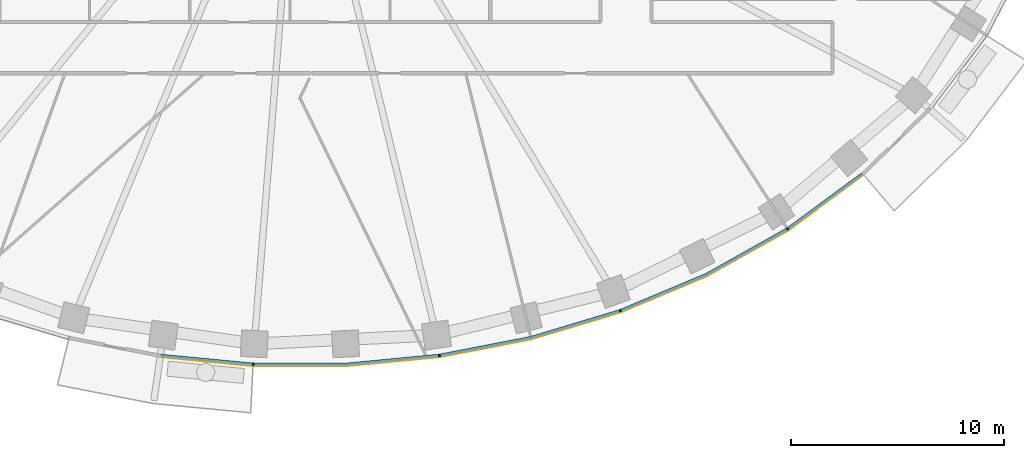
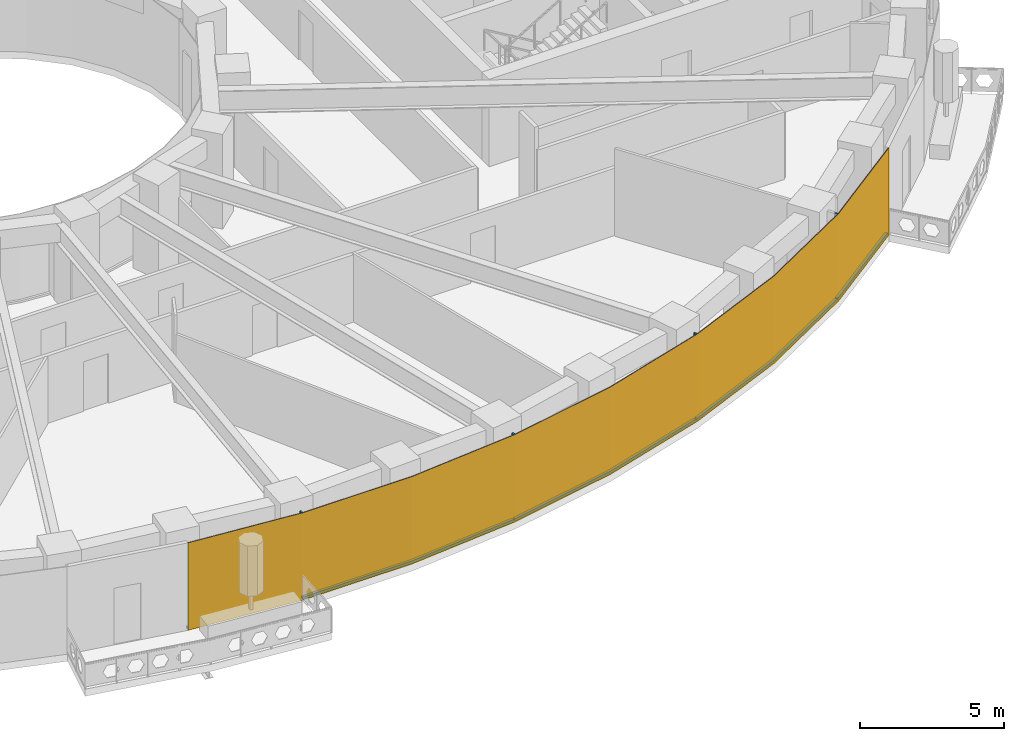
# One storey, part 9 of 16: 9 members, 1 curtain wall.
"""IFC4 building model written with IfcOpenShell, lengths in metres."""

from ifc_helpers import new_model, si_unit, direction, frame, origin, origin_2d, place, context, subcontext, project, spatial, polyline, rectangle, outline, extrude, material, layer, layer_set, material_profile, profile_set, type_object, element, aggregate, save


model = new_model("IFC4")

# Units and contexts
model_context = context("Model", 3, precision=1e-05, world=origin(), true_north=direction((0.0, 1.0)))
body_context = subcontext(model_context, "Body", "Model", "MODEL_VIEW")
ifc_project = project(units=[si_unit("LENGTHUNIT", "METRE"), si_unit("AREAUNIT", "SQUARE_METRE"), si_unit("VOLUMEUNIT", "CUBIC_METRE"), si_unit("PLANEANGLEUNIT", "RADIAN"), si_unit("MASSUNIT", "GRAM", prefix="KILO")], contexts=[model_context])

# Member
ifc_material_1 = material(Name="Aluminium 6063-T6 black anodised", Category="aluminium")
ifc_material_profile = material_profile(ifc_material_1, rectangle(XDim=0.1201171875, YDim=0.06005859375, at=origin_2d()), Name="120x60")
ifc_profile_set = profile_set([ifc_material_profile], Name="Aluminium 6063-T6 black anodised")
member_type_1 = type_object("IfcMemberType", Name="ENV-MULLION-A-120", PredefinedType="MULLION", material=ifc_profile_set)
site_placement = place(None, origin())
building_placement = place(site_placement, origin())
storey_placement = place(building_placement, frame((0.0, 0.0, 124.0)))
member_1_placement = place(storey_placement, frame((-2.188720703125, -27.856201171875, 0.0), z_axis=(0.0, 0.0, 1.0), x_axis=(0.047557873581, 0.998868484166, 0.0)))
member_1 = element("IfcMember", 1, at=member_1_placement, type_object=member_type_1, Name="Mullion A radial 35", PredefinedType="MULLION", context=body_context, shape_type="SweptSolid", body=[
    extrude(rectangle(XDim=0.1201171875, YDim=0.06005859375, at=origin_2d()), origin(), (0.0, 0.0, 1.0), 3.699951171875),
])

member_2_placement = place(storey_placement, frame((6.54638671875, -27.440185546875, 0.0), z_axis=(0.0, 0.0, 1.0), x_axis=(-0.143082012705, 0.989710835366, 0.0)))
member_2 = element("IfcMember", 2, at=member_2_placement, type_object=member_type_1, Name="Mullion A radial 37", PredefinedType="MULLION", context=body_context, shape_type="SweptSolid", body=[
    extrude(rectangle(XDim=0.1201171875, YDim=0.06005859375, at=origin_2d()), origin(), (0.0, 0.0, 1.0), 3.699951171875),
])

member_3_placement = place(storey_placement, frame((15.0341796875, -25.34375, 0.0), z_axis=(0.0, 0.0, 1.0), x_axis=(-0.338379256581, 0.941009818608, 0.0)))
member_3 = element("IfcMember", 3, at=member_3_placement, type_object=member_type_1, Name="Mullion A radial 39", PredefinedType="MULLION", context=body_context, shape_type="SweptSolid", body=[
    extrude(rectangle(XDim=0.1201171875, YDim=0.06005859375, at=origin_2d()), origin(), (0.0, 0.0, 1.0), 3.699951171875),
])

member_4_placement = place(storey_placement, frame((22.882568359375, -21.506591796875, 0.0), z_axis=(0.0, 0.0, 1.0), x_axis=(-0.542279153225, 0.840198381323, 0.0)))
member_4 = element("IfcMember", 4, at=member_4_placement, type_object=member_type_1, Name="Mullion A radial 41", PredefinedType="MULLION", context=body_context, shape_type="SweptSolid", body=[
    extrude(rectangle(XDim=0.1201171875, YDim=0.06005859375, at=origin_2d()), origin(), (0.0, 0.0, 1.0), 3.699951171875),
])

ifc_material_2 = material(Name="Aluminium 6063-T6 black anodised", Category="aluminium")
member_type_2 = type_object("IfcMemberType", Name="ENV-TRANSOM-A", PredefinedType="USERDEFINED", material=ifc_material_2)
member_5_placement = place(storey_placement, origin())
member_5 = element("IfcMember", 5, at=member_5_placement, type_object=member_type_2, Name="Transom A radial 34-35", ObjectType="TRANSOM", PredefinedType="USERDEFINED", context=body_context, shape_type="SweptSolid", body=[
    extrude(outline(polyline([(-6.53515625, -27.50146484375), (-2.219482421875, -27.913330078125), (-2.2138671875, -27.793212890625), (-6.51806640625, -27.382568359375), (-6.53515625, -27.50146484375)])), origin(), (0.0, 0.0, 1.0), 0.10009765625),
])

member_6_placement = place(storey_placement, origin())
member_6 = element("IfcMember", 6, at=member_6_placement, type_object=member_type_2, Name="Transom A radial 35-37", ObjectType="TRANSOM", PredefinedType="USERDEFINED", context=body_context, shape_type="SweptSolid", body=[
    extrude(outline(polyline([(-2.163818359375, -27.916015625), (2.191650390625, -27.916015625), (6.527099609375, -27.502197265625), (6.510009765625, -27.38330078125), (2.185791015625, -27.7958984375), (-2.157958984375, -27.7958984375), (-2.163818359375, -27.916015625)])), origin(), (0.0, 0.0, 1.0), 0.10009765625),
])

member_7_placement = place(storey_placement, origin())
member_7 = element("IfcMember", 7, at=member_7_placement, type_object=member_type_2, Name="Transom A radial 37-39", ObjectType="TRANSOM", PredefinedType="USERDEFINED", context=body_context, shape_type="SweptSolid", body=[
    extrude(outline(polyline([(6.58251953125, -27.494140625), (10.857666015625, -26.6630859375), (15.027587890625, -25.408203125), (14.987060546875, -25.295166015625), (10.828857421875, -26.54638671875), (6.5654296875, -27.375244140625), (6.58251953125, -27.494140625)])), origin(), (0.0, 0.0, 1.0), 0.10009765625),
])

member_8_placement = place(storey_placement, origin())
member_8 = element("IfcMember", 8, at=member_8_placement, type_object=member_type_2, Name="Transom A radial 39-41", ObjectType="TRANSOM", PredefinedType="USERDEFINED", context=body_context, shape_type="SweptSolid", body=[
    extrude(outline(polyline([(15.080322265625, -25.389404296875), (19.093994140625, -23.701416015625), (22.890625, -21.570556640625), (22.825439453125, -21.469482421875), (19.041259765625, -23.593505859375), (15.03955078125, -25.276123046875), (15.080322265625, -25.389404296875)])), origin(), (0.0, 0.0, 1.0), 0.10009765625),
])

member_9_placement = place(storey_placement, origin())
member_9 = element("IfcMember", 9, at=member_9_placement, type_object=member_type_2, Name="Transom A radial 41-42", ObjectType="TRANSOM", PredefinedType="USERDEFINED", context=body_context, shape_type="SweptSolid", body=[
    extrude(outline(polyline([(22.937744140625, -21.540283203125), (26.42626953125, -18.970703125), (26.348388671875, -18.87890625), (22.87255859375, -21.439208984375), (22.937744140625, -21.540283203125)])), origin(), (0.0, 0.0, 1.0), 0.10009765625),
])

# Site, building, storey
site = spatial("IfcSite", under=ifc_project, at=site_placement, CompositionType="ELEMENT")
building = spatial("IfcBuilding", under=site, at=building_placement, Name="Noorbagh Ring Tower", CompositionType="ELEMENT")
storey = spatial("IfcBuildingStorey", under=building, at=storey_placement, Name="L28", CompositionType="ELEMENT", Elevation=124.0)

# Curtain wall
ifc_material_3 = material(Name="Glass dark tinted laminated", Category="glass")
ifc_layer = layer(ifc_material_3, 0.031982421875)
ifc_layer_set = layer_set([ifc_layer], Name="Glass dark tinted laminated")
curtain_wall_type = type_object("IfcCurtainWallType", Name="ENV-CW-A", PredefinedType="NOTDEFINED", material=ifc_layer_set)
curtain_wall_placement = place(storey_placement, origin())
curtain_wall = element("IfcCurtainWall", 10, at=curtain_wall_placement, inside=storey, type_object=curtain_wall_type, Name="Curtain wall A R34", PredefinedType="NOTDEFINED", context=body_context, shape_type="SweptSolid", body=[
    extrude(outline(polyline([(-6.539794921875, -27.533203125), (-2.193115234375, -27.947998046875), (2.193115234375, -27.947998046875), (6.559814453125, -27.53125), (10.865234375, -26.6943359375), (15.065185546875, -25.430419921875), (19.108154296875, -23.730224609375), (22.9326171875, -21.583740234375), (26.447021484375, -18.9951171875), (26.42626953125, -18.970703125), (22.9150390625, -21.556884765625), (19.093994140625, -23.701416015625), (15.054443359375, -25.400146484375), (10.857666015625, -26.6630859375), (6.55517578125, -27.49951171875), (2.191650390625, -27.916015625), (-2.191650390625, -27.916015625), (-6.53515625, -27.50146484375), (-6.539794921875, -27.533203125)])), origin(), (0.0, 0.0, 1.0), 3.699951171875),
])

aggregate(curtain_wall, [member_1, member_2, member_3, member_4, member_5, member_6, member_7, member_8, member_9])

save(model, "model.ifc")
